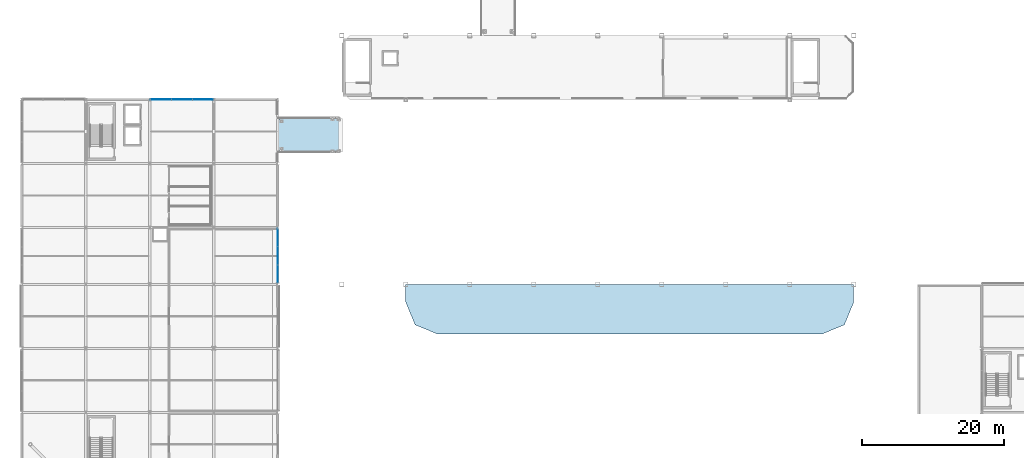
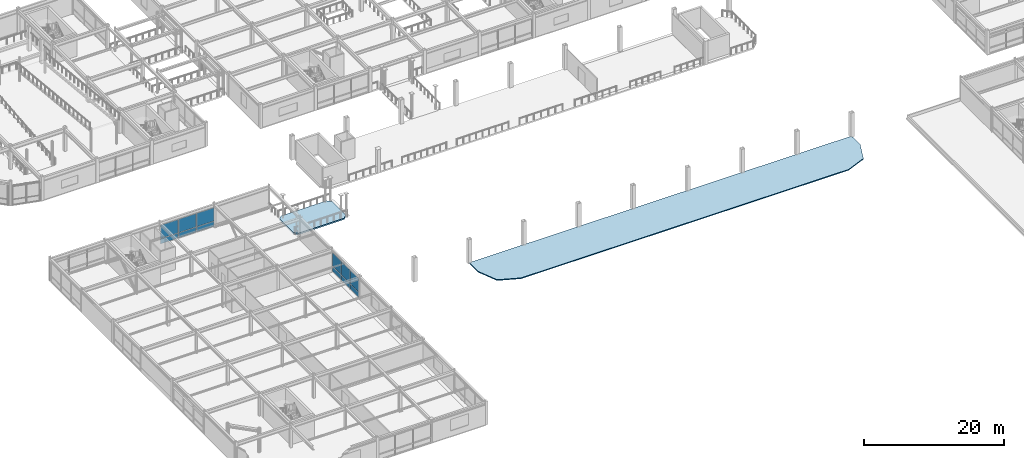
# One storey, part 62 of 105: 12 plates, 2 slabs, 2 elements without a shape of their own.
"""IFC4 building model written with IfcOpenShell, lengths in metres."""

from ifc_helpers import new_model, si_unit, direction, frame, origin, origin_2d, place, context, subcontext, project, spatial, polyline, rectangle, outline, extrude, material, layer, layer_set, type_object, element, aggregate, save


model = new_model("IFC4")

# Units and contexts
model_context = context("Model", 3, precision=1e-05, world=origin(), true_north=direction((0.0, 1.0)))
body_context = subcontext(model_context, "Body", "Model", "MODEL_VIEW")
ifc_project = project(units=[si_unit("LENGTHUNIT", "METRE"), si_unit("AREAUNIT", "SQUARE_METRE"), si_unit("VOLUMEUNIT", "CUBIC_METRE"), si_unit("PLANEANGLEUNIT", "RADIAN"), si_unit("MASSUNIT", "GRAM", prefix="KILO")], contexts=[model_context])

# Site, building, storey
site_placement = place(None, origin())
site = spatial("IfcSite", under=ifc_project, at=site_placement, CompositionType="ELEMENT")
building_placement = place(site_placement, origin())
building = spatial("IfcBuilding", under=site, at=building_placement, Name="Suzunagisa Mobility Hub", CompositionType="ELEMENT")
storey_placement = place(building_placement, frame((0.0, 0.0, 5.10009765625)))
storey = spatial("IfcBuildingStorey", under=building, at=storey_placement, Name="L01", CompositionType="ELEMENT", Elevation=5.10009765625)

# Slabs
ifc_material_1 = material(Name="Concrete C30/37", Category="concrete")
ifc_layer_1 = layer(ifc_material_1, 0.159912109375)
ifc_layer_set_1 = layer_set([ifc_layer_1], Name="Concrete C30/37")
slab_type_1 = type_object("IfcSlabType", Name="Composite Slab SL-11 160mm", PredefinedType="ROOF", material=ifc_layer_set_1)
slab_1_placement = place(storey_placement, frame((0.0, 0.0, -0.16015625)))
element("IfcSlab", 1, at=slab_1_placement, inside=storey, type_object=slab_type_1, Name="L01 South Square Bullnose Entrance Canopy", PredefinedType="ROOF", context=body_context, shape_type="SweptSolid", body=[
    extrude(outline(polyline([(54.0, 33.5), (55.318115234375, 30.318115234375), (58.5, 29.0), (112.5, 29.0), (115.681884765625, 30.318115234375), (117.0, 33.5), (117.0, 36.0), (54.0, 36.0), (54.0, 33.5)])), origin(), (0.0, 0.0, 1.0), 0.16015625),
])
ifc_layer_2 = layer(ifc_material_1, 0.239990234375)
ifc_layer_set_2 = layer_set([ifc_layer_2], Name="Concrete C30/37")
slab_type_2 = type_object("IfcSlabType", Name="Composite Slab SL-14 240mm", PredefinedType="FLOOR", material=ifc_layer_set_2)
slab_2_placement = place(storey_placement, frame((0.0, 0.0, -0.239990234375)))
element("IfcSlab", 2, at=slab_2_placement, inside=storey, type_object=slab_type_2, Name="L01 Bridge Deck SB-01", PredefinedType="FLOOR", context=body_context, shape_type="SweptSolid", body=[
    extrude(outline(polyline([(36.550048828125, 54.5), (44.10009765625, 54.5), (44.64990234375, 55.050048828125), (44.64990234375, 58.949951171875), (44.10009765625, 59.5), (36.550048828125, 59.5), (36.0, 58.949951171875), (36.0, 55.050048828125), (36.550048828125, 54.5)])), origin(), (0.0, 0.0, 1.0), 0.239990234375),
])

# Curtain wall, plates
ifc_material_2 = material(Name="Thermally Broken Anodized Aluminum and Low-E Glazing", Category="aluminium")
curtain_wall_type_1 = type_object("IfcCurtainWallType", Name="Unitised Curtain Wall CW-28 7750x3400", PredefinedType="USERDEFINED", material=ifc_material_2)
curtain_wall_1_placement = place(storey_placement, origin())
curtain_wall_1 = element("IfcCurtainWall", 3, at=curtain_wall_1_placement, inside=storey, type_object=curtain_wall_type_1, Name="L01 Unitised Curtain Wall CW-16", ObjectType="UNITISED CURTAIN WALL", PredefinedType="USERDEFINED")
ifc_material_3 = material(Name="Low-E Solar-Control Double Glazing", Category="glass")
ifc_layer_3 = layer(ifc_material_3, 0.028076171875)
ifc_layer_set_3 = layer_set([ifc_layer_3], Name="Low-E Solar-Control Double Glazing")
plate_type = type_object("IfcPlateType", Name="Low-E Double Glazed Curtain Panel GP-01 28mm", PredefinedType="CURTAIN_PANEL", material=ifc_layer_set_3)
plate_1_placement = place(storey_placement, frame((36.0, 37.489990234375, 0.06298828125), z_axis=(0.0, 0.0, 1.0), x_axis=(0.0, 1.0, 0.0)))
plate_1 = element("IfcPlate", 4, at=plate_1_placement, type_object=plate_type, Name="Curtain Wall Glazing Panel 16-P1.1", PredefinedType="CURTAIN_PANEL", context=body_context, shape_type="SweptSolid", body=[
    extrude(rectangle(XDim=2.464111328125, YDim=0.028076171875, at=origin_2d()), origin(), (0.0, 0.0, 1.0), 0.8564453125),
])
plate_2_placement = place(storey_placement, frame((36.0, 37.489990234375, 0.980224609375), z_axis=(0.0, 0.0, 1.0), x_axis=(0.0, 1.0, 0.0)))
plate_2 = element("IfcPlate", 5, at=plate_2_placement, type_object=plate_type, Name="Curtain Wall Glazing Panel 16-P1.2", PredefinedType="CURTAIN_PANEL", context=body_context, shape_type="SweptSolid", body=[
    extrude(rectangle(XDim=2.464111328125, YDim=0.028076171875, at=origin_2d()), origin(), (0.0, 0.0, 1.0), 2.32861328125),
])
plate_3_placement = place(storey_placement, frame((36.0, 40.02490234375, 0.06298828125), z_axis=(0.0, 0.0, 1.0), x_axis=(0.0, 1.0, 0.0)))
plate_3 = element("IfcPlate", 6, at=plate_3_placement, type_object=plate_type, Name="Curtain Wall Glazing Panel 16-P2.1", PredefinedType="CURTAIN_PANEL", context=body_context, shape_type="SweptSolid", body=[
    extrude(rectangle(XDim=2.493896484375, YDim=0.028076171875, at=origin_2d()), origin(), (0.0, 0.0, 1.0), 0.8564453125),
])
plate_4_placement = place(storey_placement, frame((36.0, 40.02490234375, 0.980224609375), z_axis=(0.0, 0.0, 1.0), x_axis=(0.0, 1.0, 0.0)))
plate_4 = element("IfcPlate", 7, at=plate_4_placement, type_object=plate_type, Name="Curtain Wall Glazing Panel 16-P2.2", PredefinedType="CURTAIN_PANEL", context=body_context, shape_type="SweptSolid", body=[
    extrude(rectangle(XDim=2.493896484375, YDim=0.028076171875, at=origin_2d()), origin(), (0.0, 0.0, 1.0), 2.32861328125),
])
plate_5_placement = place(storey_placement, frame((36.0, 42.56005859375, 0.06298828125), z_axis=(0.0, 0.0, 1.0), x_axis=(0.0, 1.0, 0.0)))
plate_5 = element("IfcPlate", 8, at=plate_5_placement, type_object=plate_type, Name="Curtain Wall Glazing Panel 16-P3.1", PredefinedType="CURTAIN_PANEL", context=body_context, shape_type="SweptSolid", body=[
    extrude(rectangle(XDim=2.464111328125, YDim=0.028076171875, at=origin_2d()), origin(), (0.0, 0.0, 1.0), 0.8564453125),
])
plate_6_placement = place(storey_placement, frame((36.0, 42.56005859375, 0.980224609375), z_axis=(0.0, 0.0, 1.0), x_axis=(0.0, 1.0, 0.0)))
plate_6 = element("IfcPlate", 9, at=plate_6_placement, type_object=plate_type, Name="Curtain Wall Glazing Panel 16-P3.2", PredefinedType="CURTAIN_PANEL", context=body_context, shape_type="SweptSolid", body=[
    extrude(rectangle(XDim=2.464111328125, YDim=0.028076171875, at=origin_2d()), origin(), (0.0, 0.0, 1.0), 2.32861328125),
])
aggregate(curtain_wall_1, [plate_1, plate_2, plate_3, plate_4, plate_5, plate_6])

curtain_wall_type_2 = type_object("IfcCurtainWallType", Name="Unitised Curtain Wall CW-41 9000x3400", PredefinedType="USERDEFINED", material=ifc_material_2)
curtain_wall_2_placement = place(storey_placement, origin())
curtain_wall_2 = element("IfcCurtainWall", 10, at=curtain_wall_2_placement, inside=storey, type_object=curtain_wall_type_2, Name="L01 Unitised Curtain Wall CW-17", ObjectType="UNITISED CURTAIN WALL", PredefinedType="USERDEFINED")
plate_7_placement = place(storey_placement, frame((25.497802734375, 62.0, 0.06298828125), z_axis=(0.0, 0.0, 1.0), x_axis=(-1.0, 0.0, 0.0)))
plate_7 = element("IfcPlate", 11, at=plate_7_placement, type_object=plate_type, Name="Curtain Wall Glazing Panel 17-P1.1", PredefinedType="CURTAIN_PANEL", context=body_context, shape_type="SweptSolid", body=[
    extrude(rectangle(XDim=2.879150390625, YDim=0.028076171875, at=origin_2d()), origin(), (0.0, 0.0, 1.0), 0.8564453125),
])
plate_8_placement = place(storey_placement, frame((25.497802734375, 62.0, 0.980224609375), z_axis=(0.0, 0.0, 1.0), x_axis=(-1.0, 0.0, 0.0)))
plate_8 = element("IfcPlate", 12, at=plate_8_placement, type_object=plate_type, Name="Curtain Wall Glazing Panel 17-P1.2", PredefinedType="CURTAIN_PANEL", context=body_context, shape_type="SweptSolid", body=[
    extrude(rectangle(XDim=2.879150390625, YDim=0.028076171875, at=origin_2d()), origin(), (0.0, 0.0, 1.0), 2.32861328125),
])
plate_9_placement = place(storey_placement, frame((22.5478515625, 62.0, 0.06298828125), z_axis=(0.0, 0.0, 1.0), x_axis=(-1.0, 0.0, 0.0)))
plate_9 = element("IfcPlate", 13, at=plate_9_placement, type_object=plate_type, Name="Curtain Wall Glazing Panel 17-P2.1", PredefinedType="CURTAIN_PANEL", context=body_context, shape_type="SweptSolid", body=[
    extrude(rectangle(XDim=2.9091796875, YDim=0.028076171875, at=origin_2d()), origin(), (0.0, 0.0, 1.0), 0.8564453125),
])
plate_10_placement = place(storey_placement, frame((22.5478515625, 62.0, 0.980224609375), z_axis=(0.0, 0.0, 1.0), x_axis=(-1.0, 0.0, 0.0)))
plate_10 = element("IfcPlate", 14, at=plate_10_placement, type_object=plate_type, Name="Curtain Wall Glazing Panel 17-P2.2", PredefinedType="CURTAIN_PANEL", context=body_context, shape_type="SweptSolid", body=[
    extrude(rectangle(XDim=2.9091796875, YDim=0.028076171875, at=origin_2d()), origin(), (0.0, 0.0, 1.0), 2.32861328125),
])
plate_11_placement = place(storey_placement, frame((19.59765625, 62.0, 0.06298828125), z_axis=(0.0, 0.0, 1.0), x_axis=(-1.0, 0.0, 0.0)))
plate_11 = element("IfcPlate", 15, at=plate_11_placement, type_object=plate_type, Name="Curtain Wall Glazing Panel 17-P3.1", PredefinedType="CURTAIN_PANEL", context=body_context, shape_type="SweptSolid", body=[
    extrude(rectangle(XDim=2.879150390625, YDim=0.028076171875, at=origin_2d()), origin(), (0.0, 0.0, 1.0), 0.8564453125),
])
plate_12_placement = place(storey_placement, frame((19.59765625, 62.0, 0.980224609375), z_axis=(0.0, 0.0, 1.0), x_axis=(-1.0, 0.0, 0.0)))
plate_12 = element("IfcPlate", 16, at=plate_12_placement, type_object=plate_type, Name="Curtain Wall Glazing Panel 17-P3.2", PredefinedType="CURTAIN_PANEL", context=body_context, shape_type="SweptSolid", body=[
    extrude(rectangle(XDim=2.879150390625, YDim=0.028076171875, at=origin_2d()), origin(), (0.0, 0.0, 1.0), 2.32861328125),
])
aggregate(curtain_wall_2, [plate_7, plate_8, plate_9, plate_10, plate_11, plate_12])

save(model, "model.ifc")
